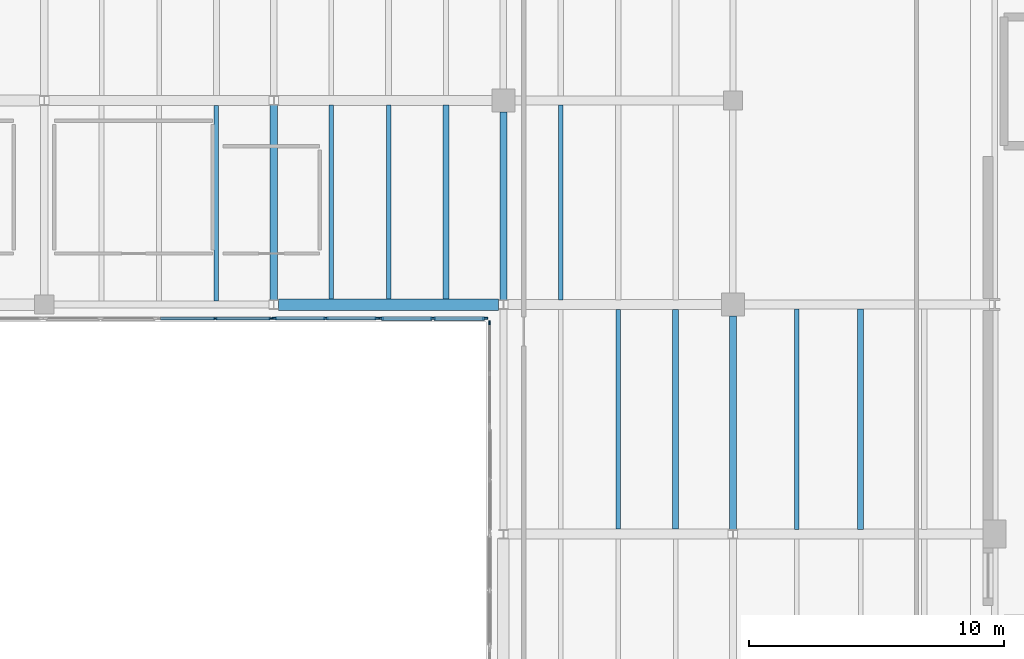
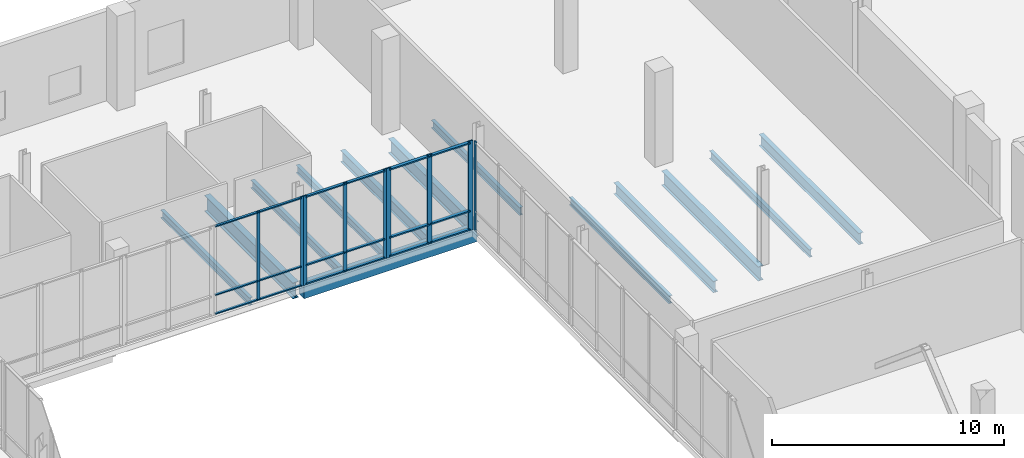
# One storey, part 33 of 73: 27 members, 13 beams, 4 elements without a shape of their own.
"""IFC4 building model written with IfcOpenShell, lengths in metres."""

from ifc_helpers import new_model, si_unit, direction, frame, origin, origin_2d, place, context, subcontext, project, spatial, rectangle, i_section, extrude, material, material_profile, profile_set, type_object, element, aggregate, save


model = new_model("IFC4")

# Units and contexts
model_context = context("Model", 3, precision=1e-05, world=origin(), true_north=direction((0.0, 1.0)))
body_context = subcontext(model_context, "Body", "Model", "MODEL_VIEW")
ifc_project = project(units=[si_unit("LENGTHUNIT", "METRE"), si_unit("AREAUNIT", "SQUARE_METRE"), si_unit("VOLUMEUNIT", "CUBIC_METRE"), si_unit("PLANEANGLEUNIT", "RADIAN"), si_unit("MASSUNIT", "GRAM", prefix="KILO")], contexts=[model_context])

# Site, building, storey
site_placement = place(None, origin())
site = spatial("IfcSite", under=ifc_project, at=site_placement, CompositionType="ELEMENT")
building_placement = place(site_placement, origin())
building = spatial("IfcBuilding", under=site, at=building_placement, Name="Trimount Lyric Opera House", CompositionType="ELEMENT")
storey_placement = place(building_placement, frame((0.0, 0.0, 10.0)))
storey = spatial("IfcBuildingStorey", under=building, at=storey_placement, Name="L02", CompositionType="ELEMENT", Elevation=10.0)

# Beams
ifc_material_1 = material(Name="Steel ASTM A992 Grade 50", Category="steel")
ifc_material_profile_1 = material_profile(ifc_material_1, i_section(OverallWidth=0.2919921875, OverallDepth=0.845947265625, WebThickness=0.015380859375, FlangeThickness=0.0244140625, FilletRadius=0.01806640625, at=origin_2d()), Name="W33X141")
ifc_profile_set_1 = profile_set([ifc_material_profile_1], Name="Steel ASTM A992 Grade 50")
beam_type_1 = type_object("IfcBeamType", Name="B-05", PredefinedType="BEAM", material=ifc_profile_set_1)
beam_1_placement = place(storey_placement, frame((36.0, 102.177978515625, -0.702880859375), z_axis=(0.0, 1.0, 0.0), x_axis=(-1.0, 0.0, 0.0)))
element("IfcBeam", 1, at=beam_1_placement, inside=storey, type_object=beam_type_1, Name="L02 girder Y-0851", PredefinedType="BEAM", context=body_context, shape_type="SweptSolid", body=[
    extrude(i_section(OverallWidth=0.2919921875, OverallDepth=0.845947265625, WebThickness=0.015380859375, FlangeThickness=0.0244140625, FilletRadius=0.01806640625, at=origin_2d()), origin(), (0.0, 0.0, 1.0), 7.637939453125),
])
ifc_material_2 = material(Name="Steel ASTM A992 Grade 50", Category="steel")
ifc_material_profile_2 = material_profile(ifc_material_2, i_section(OverallWidth=0.26708984375, OverallDepth=0.761962890625, WebThickness=0.014404296875, FlangeThickness=0.021484375, FilletRadius=0.01708984375, at=origin_2d()), Name="W30X116")
ifc_profile_set_2 = profile_set([ifc_material_profile_2], Name="Steel ASTM A992 Grade 50")
beam_type_2 = type_object("IfcBeamType", Name="B-07", PredefinedType="BEAM", material=ifc_profile_set_2)
beam_2_placement = place(storey_placement, frame((45.0, 102.18408203125, -0.660888671875), z_axis=(0.0, 1.0, 0.0), x_axis=(-1.0, 0.0, 0.0)))
element("IfcBeam", 2, at=beam_2_placement, inside=storey, type_object=beam_type_2, Name="L02 girder Y-0861", PredefinedType="BEAM", context=body_context, shape_type="SweptSolid", body=[
    extrude(i_section(OverallWidth=0.26708984375, OverallDepth=0.761962890625, WebThickness=0.014404296875, FlangeThickness=0.021484375, FilletRadius=0.01708984375, at=origin_2d()), origin(), (0.0, 0.0, 1.0), 7.365966796875),
])
beam_3_placement = place(storey_placement, frame((54.0, 93.18408203125, -0.660888671875), z_axis=(0.0, 1.0, 0.0), x_axis=(-1.0, 0.0, 0.0)))
element("IfcBeam", 3, at=beam_3_placement, inside=storey, type_object=beam_type_2, Name="L02 girder Y-0870", PredefinedType="BEAM", context=body_context, shape_type="SweptSolid", body=[
    extrude(i_section(OverallWidth=0.26708984375, OverallDepth=0.761962890625, WebThickness=0.014404296875, FlangeThickness=0.021484375, FilletRadius=0.01708984375, at=origin_2d()), origin(), (0.0, 0.0, 1.0), 8.365966796875),
])
ifc_material_3 = material(Name="Steel ASTM A992 Grade 50", Category="steel")
ifc_material_profile_3 = material_profile(ifc_material_3, i_section(OverallWidth=0.22802734375, OverallDepth=0.60205078125, WebThickness=0.010498046875, FlangeThickness=0.014892578125, FilletRadius=0.012939453125, at=origin_2d()), Name="W24X68")
ifc_profile_set_3 = profile_set([ifc_material_profile_3], Name="Steel ASTM A992 Grade 50")
beam_type_3 = type_object("IfcBeamType", Name="J-01", PredefinedType="BEAM", material=ifc_profile_set_3)
beam_4_placement = place(storey_placement, frame((42.75, 102.220947265625, -0.5810546875), z_axis=(0.0, 1.0, 0.0), x_axis=(-1.0, 0.0, 0.0)))
element("IfcBeam", 4, at=beam_4_placement, inside=storey, type_object=beam_type_3, Name="L02 composite floor joist 0842", PredefinedType="BEAM", context=body_context, shape_type="SweptSolid", body=[
    extrude(i_section(OverallWidth=0.22802734375, OverallDepth=0.60205078125, WebThickness=0.010498046875, FlangeThickness=0.014892578125, FilletRadius=0.012939453125, at=origin_2d()), origin(), (0.0, 0.0, 1.0), 7.592041015625),
])
beam_5_placement = place(storey_placement, frame((51.75, 93.196533203125, -0.5810546875), z_axis=(0.0, 1.0, 0.0), x_axis=(-1.0, 0.0, 0.0)))
element("IfcBeam", 5, at=beam_5_placement, inside=storey, type_object=beam_type_3, Name="L02 composite floor joist 0868", PredefinedType="BEAM", context=body_context, shape_type="SweptSolid", body=[
    extrude(i_section(OverallWidth=0.22802734375, OverallDepth=0.60205078125, WebThickness=0.010498046875, FlangeThickness=0.014892578125, FilletRadius=0.012939453125, at=origin_2d()), origin(), (0.0, 0.0, 1.0), 8.616455078125),
])
beam_6_placement = place(storey_placement, frame((59.0, 93.18701171875, -0.5810546875), z_axis=(0.0, 1.0, 0.0), x_axis=(-1.0, 0.0, 0.0)))
element("IfcBeam", 6, at=beam_6_placement, inside=storey, type_object=beam_type_3, Name="L02 composite floor joist 0894", PredefinedType="BEAM", context=body_context, shape_type="SweptSolid", body=[
    extrude(i_section(OverallWidth=0.22802734375, OverallDepth=0.60205078125, WebThickness=0.010498046875, FlangeThickness=0.014892578125, FilletRadius=0.012939453125, at=origin_2d()), origin(), (0.0, 0.0, 1.0), 8.638916015625),
])
ifc_material_4 = material(Name="Steel ASTM A992 Grade 50", Category="steel")
ifc_material_profile_4 = material_profile(ifc_material_4, i_section(OverallWidth=0.180908203125, OverallDepth=0.4169921875, WebThickness=0.010986328125, FlangeThickness=0.018310546875, FilletRadius=0.010986328125, at=origin_2d()), Name="W16X57")
ifc_profile_set_4 = profile_set([ifc_material_profile_4], Name="Steel ASTM A992 Grade 50")
beam_type_4 = type_object("IfcBeamType", Name="J-05", PredefinedType="BEAM", material=ifc_profile_set_4)
beam_7_placement = place(storey_placement, frame((38.25, 102.220947265625, -0.488525390625), z_axis=(0.0, 1.0, 0.0), x_axis=(-1.0, 0.0, 0.0)))
element("IfcBeam", 7, at=beam_7_placement, inside=storey, type_object=beam_type_4, Name="L02 composite floor joist 0840", PredefinedType="BEAM", context=body_context, shape_type="SweptSolid", body=[
    extrude(i_section(OverallWidth=0.180908203125, OverallDepth=0.4169921875, WebThickness=0.010986328125, FlangeThickness=0.018310546875, FilletRadius=0.010986328125, at=origin_2d()), origin(), (0.0, 0.0, 1.0), 7.592041015625),
])
ifc_material_5 = material(Name="Steel ASTM A992 Grade 50", Category="steel")
ifc_material_profile_5 = material_profile(ifc_material_5, i_section(OverallWidth=0.177978515625, OverallDepth=0.404052734375, WebThickness=0.007568359375, FlangeThickness=0.010986328125, FilletRadius=0.010009765625, at=origin_2d()), Name="W16X36")
ifc_profile_set_5 = profile_set([ifc_material_profile_5], Name="Steel ASTM A992 Grade 50")
beam_type_5 = type_object("IfcBeamType", Name="J-06", PredefinedType="BEAM", material=ifc_profile_set_5)
beam_8_placement = place(storey_placement, frame((33.75, 102.136962890625, -0.48193359375), z_axis=(0.0, 1.0, 0.0), x_axis=(-1.0, 0.0, 0.0)))
element("IfcBeam", 8, at=beam_8_placement, inside=storey, type_object=beam_type_5, Name="L02 composite floor joist 0830", PredefinedType="BEAM", context=body_context, shape_type="SweptSolid", body=[
    extrude(i_section(OverallWidth=0.177978515625, OverallDepth=0.404052734375, WebThickness=0.007568359375, FlangeThickness=0.010986328125, FilletRadius=0.010009765625, at=origin_2d()), origin(), (0.0, 0.0, 1.0), 7.66650390625),
])
beam_9_placement = place(storey_placement, frame((40.5, 102.220947265625, -0.48193359375), z_axis=(0.0, 1.0, 0.0), x_axis=(-1.0, 0.0, 0.0)))
element("IfcBeam", 9, at=beam_9_placement, inside=storey, type_object=beam_type_5, Name="L02 composite floor joist 0841", PredefinedType="BEAM", context=body_context, shape_type="SweptSolid", body=[
    extrude(i_section(OverallWidth=0.177978515625, OverallDepth=0.404052734375, WebThickness=0.007568359375, FlangeThickness=0.010986328125, FilletRadius=0.010009765625, at=origin_2d()), origin(), (0.0, 0.0, 1.0), 7.592041015625),
])
beam_10_placement = place(storey_placement, frame((49.5, 93.196533203125, -0.48193359375), z_axis=(0.0, 1.0, 0.0), x_axis=(-1.0, 0.0, 0.0)))
element("IfcBeam", 10, at=beam_10_placement, inside=storey, type_object=beam_type_5, Name="L02 composite floor joist 0867", PredefinedType="BEAM", context=body_context, shape_type="SweptSolid", body=[
    extrude(i_section(OverallWidth=0.177978515625, OverallDepth=0.404052734375, WebThickness=0.007568359375, FlangeThickness=0.010986328125, FilletRadius=0.010009765625, at=origin_2d()), origin(), (0.0, 0.0, 1.0), 8.616455078125),
])
beam_11_placement = place(storey_placement, frame((47.25, 102.18701171875, -0.48193359375), z_axis=(0.0, 1.0, 0.0), x_axis=(-1.0, 0.0, 0.0)))
element("IfcBeam", 11, at=beam_11_placement, inside=storey, type_object=beam_type_5, Name="L02 composite floor joist 0869", PredefinedType="BEAM", context=body_context, shape_type="SweptSolid", body=[
    extrude(i_section(OverallWidth=0.177978515625, OverallDepth=0.404052734375, WebThickness=0.007568359375, FlangeThickness=0.010986328125, FilletRadius=0.010009765625, at=origin_2d()), origin(), (0.0, 0.0, 1.0), 7.638916015625),
])
beam_12_placement = place(storey_placement, frame((56.5, 93.18701171875, -0.48193359375), z_axis=(0.0, 1.0, 0.0), x_axis=(-1.0, 0.0, 0.0)))
element("IfcBeam", 12, at=beam_12_placement, inside=storey, type_object=beam_type_5, Name="L02 composite floor joist 0893", PredefinedType="BEAM", context=body_context, shape_type="SweptSolid", body=[
    extrude(i_section(OverallWidth=0.177978515625, OverallDepth=0.404052734375, WebThickness=0.007568359375, FlangeThickness=0.010986328125, FilletRadius=0.010009765625, at=origin_2d()), origin(), (0.0, 0.0, 1.0), 8.638916015625),
])

# Curtain wall, members
ifc_material_6 = material(Name="Thermally Broken Aluminium and Low-E Glass", Category="aluminium")
curtain_wall_type = type_object("IfcCurtainWallType", Name="CW-03", PredefinedType="NOTDEFINED", material=ifc_material_6)
curtain_wall_1_placement = place(storey_placement, origin())
curtain_wall_1 = element("IfcCurtainWall", 13, at=curtain_wall_1_placement, inside=storey, type_object=curtain_wall_type, Name="L02 curtain wall 210", PredefinedType="NOTDEFINED")
ifc_material_7 = material(Name="Anodised Aluminium 6063-T6", Category="aluminium")
ifc_material_profile_6 = material_profile(ifc_material_7, rectangle(XDim=0.070068359375, YDim=0.219970703125, at=origin_2d()), Name="ALU-MULL-70X220")
ifc_profile_set_6 = profile_set([ifc_material_profile_6], Name="Anodised Aluminium 6063-T6")
member_type_1 = type_object("IfcMemberType", Name="ML-01", PredefinedType="MULLION", material=ifc_profile_set_6)
member_1_placement = place(storey_placement, frame((44.284912109375, 101.4599609375, 0.0), z_axis=(0.0, 0.0, 1.0), x_axis=(0.0, -1.0, 0.0)))
member_1 = element("IfcMember", 14, at=member_1_placement, type_object=member_type_1, Name="CW-03 mullion 1", PredefinedType="MULLION", context=body_context, shape_type="SweptSolid", body=[
    extrude(rectangle(XDim=0.070068359375, YDim=0.219970703125, at=origin_2d()), origin(), (0.0, 0.0, 1.0), 4.719970703125),
])
member_2_placement = place(storey_placement, frame((42.239990234375, 101.4599609375, 0.0), z_axis=(0.0, 0.0, 1.0), x_axis=(0.0, -1.0, 0.0)))
member_2 = element("IfcMember", 15, at=member_2_placement, type_object=member_type_1, Name="CW-03 mullion 2", PredefinedType="MULLION", context=body_context, shape_type="SweptSolid", body=[
    extrude(rectangle(XDim=0.070068359375, YDim=0.219970703125, at=origin_2d()), origin(), (0.0, 0.0, 1.0), 4.719970703125),
])
member_3_placement = place(storey_placement, frame((40.195068359375, 101.4599609375, 0.0), z_axis=(0.0, 0.0, 1.0), x_axis=(0.0, -1.0, 0.0)))
member_3 = element("IfcMember", 16, at=member_3_placement, type_object=member_type_1, Name="CW-03 mullion 3", PredefinedType="MULLION", context=body_context, shape_type="SweptSolid", body=[
    extrude(rectangle(XDim=0.070068359375, YDim=0.219970703125, at=origin_2d()), origin(), (0.0, 0.0, 1.0), 4.719970703125),
])

curtain_wall_2_placement = place(storey_placement, origin())
curtain_wall_2 = element("IfcCurtainWall", 17, at=curtain_wall_2_placement, inside=storey, type_object=curtain_wall_type, Name="L02 curtain wall 211", PredefinedType="NOTDEFINED")
ifc_material_8 = material(Name="Anodised Aluminium 6063-T6", Category="aluminium")
ifc_material_profile_7 = material_profile(ifc_material_8, rectangle(XDim=0.06494140625, YDim=0.179931640625, at=origin_2d()), Name="ALU-MULL-65X180")
ifc_profile_set_7 = profile_set([ifc_material_profile_7], Name="Anodised Aluminium 6063-T6")
member_type_2 = type_object("IfcMemberType", Name="ML-02", PredefinedType="MULLION", material=ifc_profile_set_7)
member_4_placement = place(storey_placement, frame((40.03759765625, 101.4599609375, 0.0), z_axis=(0.0, 0.0, 1.0), x_axis=(0.0, -1.0, 0.0)))
member_4 = element("IfcMember", 18, at=member_4_placement, type_object=member_type_2, Name="CW-03 mullion 1", PredefinedType="MULLION", context=body_context, shape_type="SweptSolid", body=[
    extrude(rectangle(XDim=0.06494140625, YDim=0.179931640625, at=origin_2d()), origin(), (0.0, 0.0, 1.0), 4.719970703125),
])
member_5_placement = place(storey_placement, frame((38.034912109375, 101.4599609375, 0.0), z_axis=(0.0, 0.0, 1.0), x_axis=(0.0, -1.0, 0.0)))
member_5 = element("IfcMember", 19, at=member_5_placement, type_object=member_type_2, Name="CW-03 mullion 2", PredefinedType="MULLION", context=body_context, shape_type="SweptSolid", body=[
    extrude(rectangle(XDim=0.06494140625, YDim=0.179931640625, at=origin_2d()), origin(), (0.0, 0.0, 1.0), 4.719970703125),
])
member_6_placement = place(storey_placement, frame((36.032470703125, 101.4599609375, 0.0), z_axis=(0.0, 0.0, 1.0), x_axis=(0.0, -1.0, 0.0)))
member_6 = element("IfcMember", 20, at=member_6_placement, type_object=member_type_2, Name="CW-03 mullion 3", PredefinedType="MULLION", context=body_context, shape_type="SweptSolid", body=[
    extrude(rectangle(XDim=0.06494140625, YDim=0.179931640625, at=origin_2d()), origin(), (0.0, 0.0, 1.0), 4.719970703125),
])

# Curtain wall, member
curtain_wall_3_placement = place(storey_placement, origin())
curtain_wall_3 = element("IfcCurtainWall", 21, at=curtain_wall_3_placement, inside=storey, type_object=curtain_wall_type, Name="L02 curtain wall 209", PredefinedType="NOTDEFINED")
ifc_material_9 = material(Name="Anodised Aluminium 6063-T6", Category="aluminium")
ifc_material_profile_8 = material_profile(ifc_material_9, rectangle(XDim=0.06005859375, YDim=0.14990234375, at=origin_2d()), Name="ALU-MULL-60X150")
ifc_profile_set_8 = profile_set([ifc_material_profile_8], Name="Anodised Aluminium 6063-T6")
member_type_3 = type_object("IfcMemberType", Name="ML-03", PredefinedType="MULLION", material=ifc_profile_set_8)
member_7_placement = place(storey_placement, frame((44.4599609375, 101.2900390625, 0.0), z_axis=(0.0, 0.0, 1.0), x_axis=(-1.0, 0.0, 0.0)))
member_7 = element("IfcMember", 22, at=member_7_placement, type_object=member_type_3, Name="CW-03 mullion 3", PredefinedType="MULLION", context=body_context, shape_type="SweptSolid", body=[
    extrude(rectangle(XDim=0.06005859375, YDim=0.14990234375, at=origin_2d()), origin(), (0.0, 0.0, 1.0), 4.719970703125),
])
aggregate(curtain_wall_3, [member_7])

# Curtain wall, members
curtain_wall_4_placement = place(storey_placement, origin())
curtain_wall_4 = element("IfcCurtainWall", 23, at=curtain_wall_4_placement, inside=storey, type_object=curtain_wall_type, Name="L02 curtain wall 212", PredefinedType="NOTDEFINED")
member_8_placement = place(storey_placement, frame((35.8798828125, 101.4599609375, 0.0), z_axis=(0.0, 0.0, 1.0), x_axis=(0.0, -1.0, 0.0)))
member_8 = element("IfcMember", 24, at=member_8_placement, type_object=member_type_3, Name="CW-03 mullion 1", PredefinedType="MULLION", context=body_context, shape_type="SweptSolid", body=[
    extrude(rectangle(XDim=0.06005859375, YDim=0.14990234375, at=origin_2d()), origin(), (0.0, 0.0, 1.0), 4.719970703125),
])
member_9_placement = place(storey_placement, frame((33.705078125, 101.4599609375, 0.0), z_axis=(0.0, 0.0, 1.0), x_axis=(0.0, -1.0, 0.0)))
member_9 = element("IfcMember", 25, at=member_9_placement, type_object=member_type_3, Name="CW-03 mullion 2", PredefinedType="MULLION", context=body_context, shape_type="SweptSolid", body=[
    extrude(rectangle(XDim=0.06005859375, YDim=0.14990234375, at=origin_2d()), origin(), (0.0, 0.0, 1.0), 4.719970703125),
])

# Beam
ifc_material_10 = material(Name="Concrete C40/50", Category="concrete")
ifc_material_profile_9 = material_profile(ifc_material_10, rectangle(XDim=0.449951171875, YDim=0.699951171875, at=origin_2d()), Name="RC450X700")
ifc_profile_set_9 = profile_set([ifc_material_profile_9], Name="Concrete C40/50")
beam_type_6 = type_object("IfcBeamType", Name="SP-02", PredefinedType="SPANDREL", material=ifc_profile_set_9)
beam_13_placement = place(storey_placement, frame((36.18408203125, 102.0, -0.6298828125), z_axis=(1.0, 0.0, 0.0), x_axis=(0.0, 1.0, 0.0)))
element("IfcBeam", 26, at=beam_13_placement, inside=storey, type_object=beam_type_6, Name="L02 girder X-0791", PredefinedType="SPANDREL", context=body_context, shape_type="SweptSolid", body=[
    extrude(rectangle(XDim=0.449951171875, YDim=0.699951171875, at=origin_2d()), origin(), (0.0, 0.0, 1.0), 8.62939453125),
])

# Member
ifc_material_11 = material(Name="Anodised Aluminium 6063-T6", Category="aluminium")
ifc_material_profile_10 = material_profile(ifc_material_11, rectangle(XDim=0.159912109375, YDim=0.070068359375, at=origin_2d()), Name="ALU-TRAN-70X160")
ifc_profile_set_10 = profile_set([ifc_material_profile_10], Name="Anodised Aluminium 6063-T6")
member_type_4 = type_object("IfcMemberType", Name="TR-01", PredefinedType="USERDEFINED", material=ifc_profile_set_10)
member_10_placement = place(storey_placement, frame((44.25, 101.4599609375, 0.080078125), z_axis=(-1.0, 0.0, 0.0), x_axis=(0.0, -1.0, 0.0)))
member_10 = element("IfcMember", 27, at=member_10_placement, type_object=member_type_4, Name="CW-03 transom 1.1", ObjectType="TRANSOM", PredefinedType="USERDEFINED", context=body_context, shape_type="SweptSolid", body=[
    extrude(rectangle(XDim=0.159912109375, YDim=0.070068359375, at=origin_2d()), origin(), (0.0, 0.0, 1.0), 1.97509765625),
])

member_11_placement = place(storey_placement, frame((44.25, 101.4599609375, 1.050048828125), z_axis=(-1.0, 0.0, 0.0), x_axis=(0.0, -1.0, 0.0)))
member_11 = element("IfcMember", 28, at=member_11_placement, type_object=member_type_4, Name="CW-03 transom 1.2", ObjectType="TRANSOM", PredefinedType="USERDEFINED", context=body_context, shape_type="SweptSolid", body=[
    extrude(rectangle(XDim=0.159912109375, YDim=0.070068359375, at=origin_2d()), origin(), (0.0, 0.0, 1.0), 1.97509765625),
])

member_12_placement = place(storey_placement, frame((44.25, 101.4599609375, 4.639892578125), z_axis=(-1.0, 0.0, 0.0), x_axis=(0.0, -1.0, 0.0)))
member_12 = element("IfcMember", 29, at=member_12_placement, type_object=member_type_4, Name="CW-03 transom 1.3", ObjectType="TRANSOM", PredefinedType="USERDEFINED", context=body_context, shape_type="SweptSolid", body=[
    extrude(rectangle(XDim=0.159912109375, YDim=0.070068359375, at=origin_2d()), origin(), (0.0, 0.0, 1.0), 1.97509765625),
])

member_13_placement = place(storey_placement, frame((42.205078125, 101.4599609375, 0.080078125), z_axis=(-1.0, 0.0, 0.0), x_axis=(0.0, -1.0, 0.0)))
member_13 = element("IfcMember", 30, at=member_13_placement, type_object=member_type_4, Name="CW-03 transom 2.1", ObjectType="TRANSOM", PredefinedType="USERDEFINED", context=body_context, shape_type="SweptSolid", body=[
    extrude(rectangle(XDim=0.159912109375, YDim=0.070068359375, at=origin_2d()), origin(), (0.0, 0.0, 1.0), 1.97509765625),
])

member_14_placement = place(storey_placement, frame((42.205078125, 101.4599609375, 1.050048828125), z_axis=(-1.0, 0.0, 0.0), x_axis=(0.0, -1.0, 0.0)))
member_14 = element("IfcMember", 31, at=member_14_placement, type_object=member_type_4, Name="CW-03 transom 2.2", ObjectType="TRANSOM", PredefinedType="USERDEFINED", context=body_context, shape_type="SweptSolid", body=[
    extrude(rectangle(XDim=0.159912109375, YDim=0.070068359375, at=origin_2d()), origin(), (0.0, 0.0, 1.0), 1.97509765625),
])

member_15_placement = place(storey_placement, frame((42.205078125, 101.4599609375, 4.639892578125), z_axis=(-1.0, 0.0, 0.0), x_axis=(0.0, -1.0, 0.0)))
member_15 = element("IfcMember", 32, at=member_15_placement, type_object=member_type_4, Name="CW-03 transom 2.3", ObjectType="TRANSOM", PredefinedType="USERDEFINED", context=body_context, shape_type="SweptSolid", body=[
    extrude(rectangle(XDim=0.159912109375, YDim=0.070068359375, at=origin_2d()), origin(), (0.0, 0.0, 1.0), 1.97509765625),
])

aggregate(curtain_wall_1, [member_1, member_2, member_3, member_10, member_11, member_12, member_13, member_14, member_15])

ifc_material_12 = material(Name="Anodised Aluminium 6063-T6", Category="aluminium")
ifc_material_profile_11 = material_profile(ifc_material_12, rectangle(XDim=0.135009765625, YDim=0.06494140625, at=origin_2d()), Name="ALU-TRAN-65X135")
ifc_profile_set_11 = profile_set([ifc_material_profile_11], Name="Anodised Aluminium 6063-T6")
member_type_5 = type_object("IfcMemberType", Name="TR-02", PredefinedType="USERDEFINED", material=ifc_profile_set_11)
member_16_placement = place(storey_placement, frame((40.0048828125, 101.4599609375, 0.0673828125), z_axis=(-1.0, 0.0, 0.0), x_axis=(0.0, -1.0, 0.0)))
member_16 = element("IfcMember", 33, at=member_16_placement, type_object=member_type_5, Name="CW-03 transom 1.1", ObjectType="TRANSOM", PredefinedType="USERDEFINED", context=body_context, shape_type="SweptSolid", body=[
    extrude(rectangle(XDim=0.135009765625, YDim=0.06494140625, at=origin_2d()), origin(), (0.0, 0.0, 1.0), 1.9375),
])

member_17_placement = place(storey_placement, frame((40.0048828125, 101.4599609375, 1.050048828125), z_axis=(-1.0, 0.0, 0.0), x_axis=(0.0, -1.0, 0.0)))
member_17 = element("IfcMember", 34, at=member_17_placement, type_object=member_type_5, Name="CW-03 transom 1.2", ObjectType="TRANSOM", PredefinedType="USERDEFINED", context=body_context, shape_type="SweptSolid", body=[
    extrude(rectangle(XDim=0.135009765625, YDim=0.06494140625, at=origin_2d()), origin(), (0.0, 0.0, 1.0), 1.9375),
])

member_18_placement = place(storey_placement, frame((40.0048828125, 101.4599609375, 4.652587890625), z_axis=(-1.0, 0.0, 0.0), x_axis=(0.0, -1.0, 0.0)))
member_18 = element("IfcMember", 35, at=member_18_placement, type_object=member_type_5, Name="CW-03 transom 1.3", ObjectType="TRANSOM", PredefinedType="USERDEFINED", context=body_context, shape_type="SweptSolid", body=[
    extrude(rectangle(XDim=0.135009765625, YDim=0.06494140625, at=origin_2d()), origin(), (0.0, 0.0, 1.0), 1.9375),
])

member_19_placement = place(storey_placement, frame((38.00244140625, 101.4599609375, 0.0673828125), z_axis=(-1.0, 0.0, 0.0), x_axis=(0.0, -1.0, 0.0)))
member_19 = element("IfcMember", 36, at=member_19_placement, type_object=member_type_5, Name="CW-03 transom 2.1", ObjectType="TRANSOM", PredefinedType="USERDEFINED", context=body_context, shape_type="SweptSolid", body=[
    extrude(rectangle(XDim=0.135009765625, YDim=0.06494140625, at=origin_2d()), origin(), (0.0, 0.0, 1.0), 1.9375),
])

member_20_placement = place(storey_placement, frame((38.00244140625, 101.4599609375, 1.050048828125), z_axis=(-1.0, 0.0, 0.0), x_axis=(0.0, -1.0, 0.0)))
member_20 = element("IfcMember", 37, at=member_20_placement, type_object=member_type_5, Name="CW-03 transom 2.2", ObjectType="TRANSOM", PredefinedType="USERDEFINED", context=body_context, shape_type="SweptSolid", body=[
    extrude(rectangle(XDim=0.135009765625, YDim=0.06494140625, at=origin_2d()), origin(), (0.0, 0.0, 1.0), 1.9375),
])

member_21_placement = place(storey_placement, frame((38.00244140625, 101.4599609375, 4.652587890625), z_axis=(-1.0, 0.0, 0.0), x_axis=(0.0, -1.0, 0.0)))
member_21 = element("IfcMember", 38, at=member_21_placement, type_object=member_type_5, Name="CW-03 transom 2.3", ObjectType="TRANSOM", PredefinedType="USERDEFINED", context=body_context, shape_type="SweptSolid", body=[
    extrude(rectangle(XDim=0.135009765625, YDim=0.06494140625, at=origin_2d()), origin(), (0.0, 0.0, 1.0), 1.9375),
])

aggregate(curtain_wall_2, [member_4, member_5, member_6, member_16, member_17, member_18, member_19, member_20, member_21])

ifc_material_13 = material(Name="Anodised Aluminium 6063-T6", Category="aluminium")
ifc_material_profile_12 = material_profile(ifc_material_13, rectangle(XDim=0.114990234375, YDim=0.06005859375, at=origin_2d()), Name="ALU-TRAN-60X115")
ifc_profile_set_12 = profile_set([ifc_material_profile_12], Name="Anodised Aluminium 6063-T6")
member_type_6 = type_object("IfcMemberType", Name="TR-03", PredefinedType="USERDEFINED", material=ifc_profile_set_12)
member_22_placement = place(storey_placement, frame((35.85009765625, 101.4599609375, 0.0576171875), z_axis=(-1.0, 0.0, 0.0), x_axis=(0.0, -1.0, 0.0)))
member_22 = element("IfcMember", 39, at=member_22_placement, type_object=member_type_6, Name="CW-03 transom 1.1", ObjectType="TRANSOM", PredefinedType="USERDEFINED", context=body_context, shape_type="SweptSolid", body=[
    extrude(rectangle(XDim=0.114990234375, YDim=0.06005859375, at=origin_2d()), origin(), (0.0, 0.0, 1.0), 2.114990234375),
])

member_23_placement = place(storey_placement, frame((35.85009765625, 101.4599609375, 1.050048828125), z_axis=(-1.0, 0.0, 0.0), x_axis=(0.0, -1.0, 0.0)))
member_23 = element("IfcMember", 40, at=member_23_placement, type_object=member_type_6, Name="CW-03 transom 1.2", ObjectType="TRANSOM", PredefinedType="USERDEFINED", context=body_context, shape_type="SweptSolid", body=[
    extrude(rectangle(XDim=0.114990234375, YDim=0.06005859375, at=origin_2d()), origin(), (0.0, 0.0, 1.0), 2.114990234375),
])

member_24_placement = place(storey_placement, frame((35.85009765625, 101.4599609375, 4.66259765625), z_axis=(-1.0, 0.0, 0.0), x_axis=(0.0, -1.0, 0.0)))
member_24 = element("IfcMember", 41, at=member_24_placement, type_object=member_type_6, Name="CW-03 transom 1.3", ObjectType="TRANSOM", PredefinedType="USERDEFINED", context=body_context, shape_type="SweptSolid", body=[
    extrude(rectangle(XDim=0.114990234375, YDim=0.06005859375, at=origin_2d()), origin(), (0.0, 0.0, 1.0), 2.114990234375),
])

member_25_placement = place(storey_placement, frame((33.675048828125, 101.4599609375, 0.0576171875), z_axis=(-1.0, 0.0, 0.0), x_axis=(0.0, -1.0, 0.0)))
member_25 = element("IfcMember", 42, at=member_25_placement, type_object=member_type_6, Name="CW-03 transom 2.1", ObjectType="TRANSOM", PredefinedType="USERDEFINED", context=body_context, shape_type="SweptSolid", body=[
    extrude(rectangle(XDim=0.114990234375, YDim=0.06005859375, at=origin_2d()), origin(), (0.0, 0.0, 1.0), 2.114990234375),
])

member_26_placement = place(storey_placement, frame((33.675048828125, 101.4599609375, 1.050048828125), z_axis=(-1.0, 0.0, 0.0), x_axis=(0.0, -1.0, 0.0)))
member_26 = element("IfcMember", 43, at=member_26_placement, type_object=member_type_6, Name="CW-03 transom 2.2", ObjectType="TRANSOM", PredefinedType="USERDEFINED", context=body_context, shape_type="SweptSolid", body=[
    extrude(rectangle(XDim=0.114990234375, YDim=0.06005859375, at=origin_2d()), origin(), (0.0, 0.0, 1.0), 2.114990234375),
])

member_27_placement = place(storey_placement, frame((33.675048828125, 101.4599609375, 4.66259765625), z_axis=(-1.0, 0.0, 0.0), x_axis=(0.0, -1.0, 0.0)))
member_27 = element("IfcMember", 44, at=member_27_placement, type_object=member_type_6, Name="CW-03 transom 2.3", ObjectType="TRANSOM", PredefinedType="USERDEFINED", context=body_context, shape_type="SweptSolid", body=[
    extrude(rectangle(XDim=0.114990234375, YDim=0.06005859375, at=origin_2d()), origin(), (0.0, 0.0, 1.0), 2.114990234375),
])

aggregate(curtain_wall_4, [member_8, member_9, member_22, member_23, member_24, member_25, member_26, member_27])

save(model, "model.ifc")
